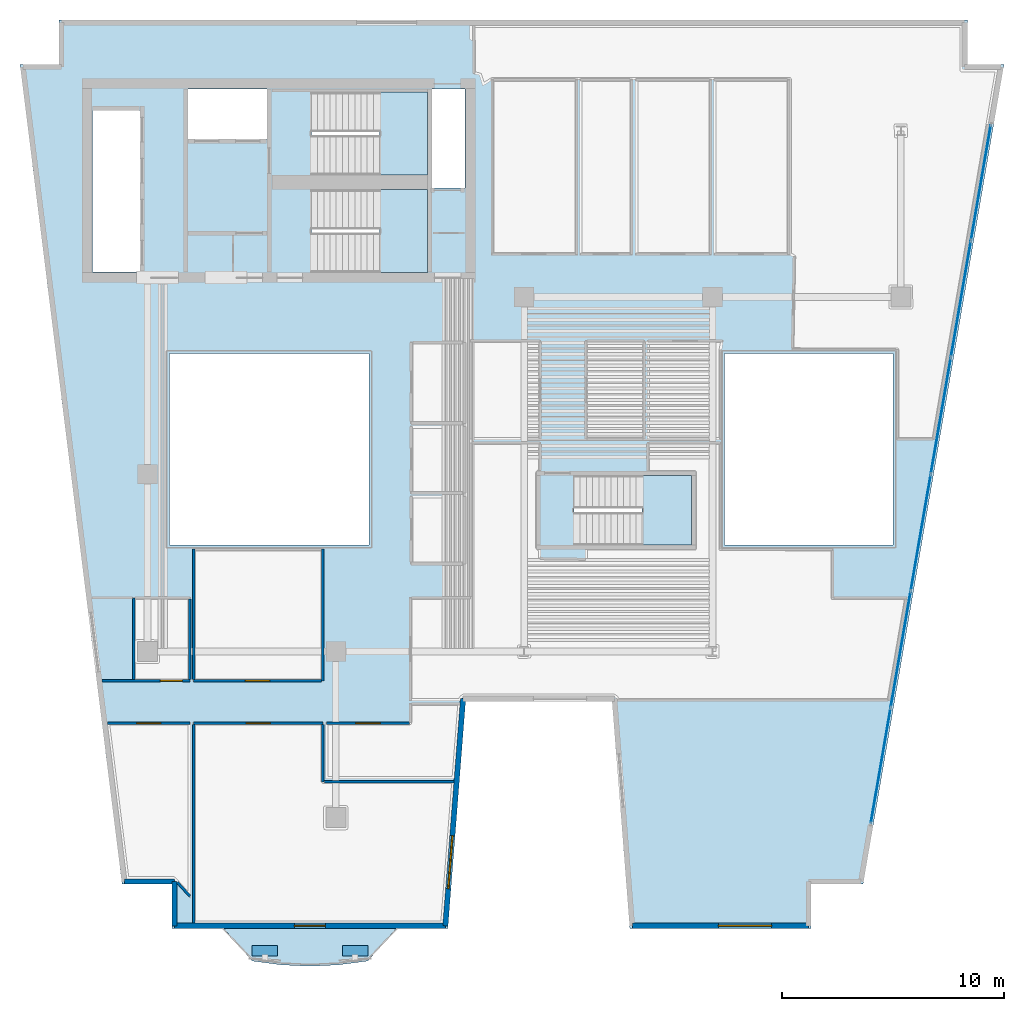
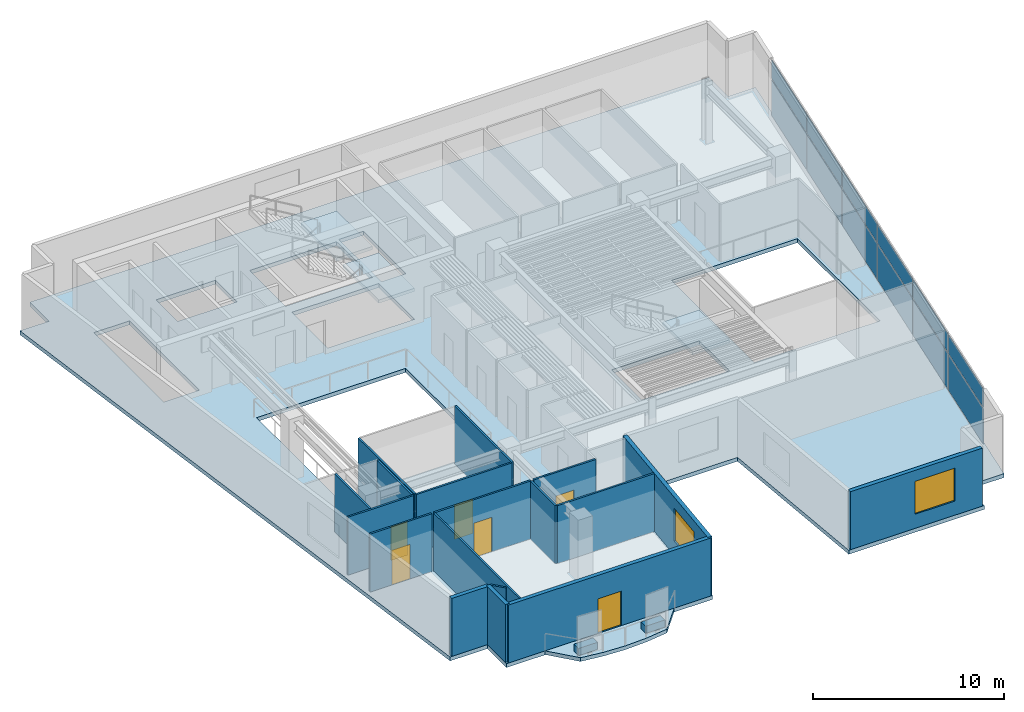
# One storey, part 3 of 10: 18 walls, 14 plates, 6 doors, 5 slabs, 2 windows, 8 openings, 4 elements without a shape of their own.
"""IFC4 building model written with IfcOpenShell, lengths in metres."""

from ifc_helpers import new_model, si_unit, direction, frame, frame_2d, origin, origin_2d, place, context, subcontext, project, spatial, polyline, rectangle, outline, extrude, material, layer, layer_set, type_object, element, fill, aggregate, save


model = new_model("IFC4")

# Units and contexts
model_context = context("Model", 3, precision=1e-05, world=origin(), true_north=direction((0.0, 1.0)))
body_context = subcontext(model_context, "Body", "Model", "MODEL_VIEW")
ifc_project = project(units=[si_unit("LENGTHUNIT", "METRE"), si_unit("AREAUNIT", "SQUARE_METRE"), si_unit("VOLUMEUNIT", "CUBIC_METRE"), si_unit("PLANEANGLEUNIT", "RADIAN"), si_unit("MASSUNIT", "GRAM", prefix="KILO")], contexts=[model_context])

# Site, building, storey
site_placement = place(None, origin())
site = spatial("IfcSite", under=ifc_project, at=site_placement, CompositionType="ELEMENT")
building_placement = place(site_placement, origin())
building = spatial("IfcBuilding", under=site, at=building_placement, Name="Caeloran Harvest Quay", CompositionType="ELEMENT")
storey_placement = place(building_placement, frame((0.0, 0.0, 219.300048828125)))
storey = spatial("IfcBuildingStorey", under=building, at=storey_placement, Name="L52", CompositionType="ELEMENT", Elevation=219.300048828125)

# Slab
ifc_material_1 = material(Name="Concrete C50/60", Category="concrete")
ifc_layer_1 = layer(ifc_material_1, 0.239990234375, Name="Concrete C50/60")
ifc_layer_set_1 = layer_set([ifc_layer_1], Name="Concrete C50/60")
slab_type_1 = type_object("IfcSlabType", Name="BALCONY-BL-240", PredefinedType="FLOOR", material=ifc_layer_set_1)
slab_1_placement = place(storey_placement, frame((0.0, 0.0, -0.239990234375)))
element("IfcSlab", 1, at=slab_1_placement, inside=storey, type_object=slab_type_1, Name="L52 Scalloped Cantilevered Planted Balcony Slab", PredefinedType="FLOOR", context=body_context, shape_type="SweptSolid", body=[
    extrude(outline(polyline([(18.442138671875, 1.033447265625), (17.13818359375, 0.860107421875), (15.83447265625, 0.796875), (14.53076171875, 0.860107421875), (13.226806640625, 1.033447265625), (11.9404296875, 2.5), (19.728515625, 2.5), (18.442138671875, 1.033447265625)])), origin(), (0.0, 0.0, 1.0), 0.239990234375),
])

# Curtain wall, plates
ifc_material_2 = material(Name="Aluminium 6063-T6 and Low-E Glazing", Category="aluminium")
ifc_layer_2 = layer(ifc_material_2, 0.2099609375, Name="Aluminium 6063-T6 and Low-E Glazing")
ifc_layer_set_2 = layer_set([ifc_layer_2], Name="Aluminium 6063-T6 and Low-E Glazing")
curtain_wall_type = type_object("IfcCurtainWallType", Name="CW-SYS-CW-4", PredefinedType="USERDEFINED", material=ifc_layer_set_2)
curtain_wall_placement = place(storey_placement, origin())
curtain_wall = element("IfcCurtainWall", 2, at=curtain_wall_placement, inside=storey, type_object=curtain_wall_type, Name="L52 Unitised Curtain Wall CW-4 Run 9", ObjectType="CURTAIN_WALL", PredefinedType="USERDEFINED")
ifc_material_3 = material(Name="Low-E Double Glazed Vision Glass Unit", Category="glass")
ifc_layer_3 = layer(ifc_material_3, 0.035888671875, Name="Low-E Double Glazed Vision Glass Unit")
ifc_layer_set_3 = layer_set([ifc_layer_3], Name="Low-E Double Glazed Vision Glass Unit")
plate_type_1 = type_object("IfcPlateType", Name="CW-VISION-PANEL", PredefinedType="CURTAIN_PANEL", material=ifc_layer_set_3)
plate_1_placement = place(storey_placement, frame((46.116943359375, 36.16162109375, 0.080078125), z_axis=(0.0, 0.0, 1.0), x_axis=(-0.169391215605, -0.985548890759, 0.0)))
plate_1 = element("IfcPlate", 3, at=plate_1_placement, type_object=plate_type_1, Name="CW-4 panel 1.1", PredefinedType="CURTAIN_PANEL", context=body_context, shape_type="SweptSolid", body=[
    extrude(rectangle(XDim=5.229736328125, YDim=0.035888671875, at=origin_2d()), origin(), (0.0, 0.0, 1.0), 2.280029296875),
])
plate_2_placement = place(storey_placement, frame((46.116943359375, 36.16162109375, 2.43994140625), z_axis=(0.0, 0.0, 1.0), x_axis=(-0.169391215605, -0.985548890759, 0.0)))
plate_2 = element("IfcPlate", 4, at=plate_2_placement, type_object=plate_type_1, Name="CW-4 panel 1.2", PredefinedType="CURTAIN_PANEL", context=body_context, shape_type="SweptSolid", body=[
    extrude(rectangle(XDim=5.229736328125, YDim=0.035888671875, at=origin_2d()), origin(), (0.0, 0.0, 1.0), 1.179931640625),
])
plate_3_placement = place(storey_placement, frame((45.214111328125, 30.90869140625, 0.080078125), z_axis=(0.0, 0.0, 1.0), x_axis=(-0.169391215605, -0.985548890759, 0.0)))
plate_3 = element("IfcPlate", 5, at=plate_3_placement, type_object=plate_type_1, Name="CW-4 panel 2.1", PredefinedType="CURTAIN_PANEL", context=body_context, shape_type="SweptSolid", body=[
    extrude(rectangle(XDim=5.269775390625, YDim=0.035888671875, at=origin_2d()), origin(), (0.0, 0.0, 1.0), 2.280029296875),
])
plate_4_placement = place(storey_placement, frame((45.214111328125, 30.90869140625, 2.43994140625), z_axis=(0.0, 0.0, 1.0), x_axis=(-0.169391215605, -0.985548890759, 0.0)))
plate_4 = element("IfcPlate", 6, at=plate_4_placement, type_object=plate_type_1, Name="CW-4 panel 2.2", PredefinedType="CURTAIN_PANEL", context=body_context, shape_type="SweptSolid", body=[
    extrude(rectangle(XDim=5.269775390625, YDim=0.035888671875, at=origin_2d()), origin(), (0.0, 0.0, 1.0), 1.179931640625),
])
plate_5_placement = place(storey_placement, frame((44.307861328125, 25.63623046875, 0.080078125), z_axis=(0.0, 0.0, 1.0), x_axis=(-0.169391215605, -0.985548890759, 0.0)))
plate_5 = element("IfcPlate", 7, at=plate_5_placement, type_object=plate_type_1, Name="CW-4 panel 3.1", PredefinedType="CURTAIN_PANEL", context=body_context, shape_type="SweptSolid", body=[
    extrude(rectangle(XDim=5.269775390625, YDim=0.035888671875, at=origin_2d()), origin(), (0.0, 0.0, 1.0), 2.280029296875),
])
plate_6_placement = place(storey_placement, frame((44.307861328125, 25.63623046875, 2.43994140625), z_axis=(0.0, 0.0, 1.0), x_axis=(-0.169391215605, -0.985548890759, 0.0)))
plate_6 = element("IfcPlate", 8, at=plate_6_placement, type_object=plate_type_1, Name="CW-4 panel 3.2", PredefinedType="CURTAIN_PANEL", context=body_context, shape_type="SweptSolid", body=[
    extrude(rectangle(XDim=5.269775390625, YDim=0.035888671875, at=origin_2d()), origin(), (0.0, 0.0, 1.0), 1.179931640625),
])
plate_7_placement = place(storey_placement, frame((43.401611328125, 20.36376953125, 0.080078125), z_axis=(0.0, 0.0, 1.0), x_axis=(-0.169391215605, -0.985548890759, 0.0)))
plate_7 = element("IfcPlate", 9, at=plate_7_placement, type_object=plate_type_1, Name="CW-4 panel 4.1", PredefinedType="CURTAIN_PANEL", context=body_context, shape_type="SweptSolid", body=[
    extrude(rectangle(XDim=5.269775390625, YDim=0.035888671875, at=origin_2d()), origin(), (0.0, 0.0, 1.0), 2.280029296875),
])
plate_8_placement = place(storey_placement, frame((43.401611328125, 20.36376953125, 2.43994140625), z_axis=(0.0, 0.0, 1.0), x_axis=(-0.169391215605, -0.985548890759, 0.0)))
plate_8 = element("IfcPlate", 10, at=plate_8_placement, type_object=plate_type_1, Name="CW-4 panel 4.2", PredefinedType="CURTAIN_PANEL", context=body_context, shape_type="SweptSolid", body=[
    extrude(rectangle(XDim=5.269775390625, YDim=0.035888671875, at=origin_2d()), origin(), (0.0, 0.0, 1.0), 1.179931640625),
])
plate_9_placement = place(storey_placement, frame((42.495361328125, 15.09130859375, 0.080078125), z_axis=(0.0, 0.0, 1.0), x_axis=(-0.169391215605, -0.985548890759, 0.0)))
plate_9 = element("IfcPlate", 11, at=plate_9_placement, type_object=plate_type_1, Name="CW-4 panel 5.1", PredefinedType="CURTAIN_PANEL", context=body_context, shape_type="SweptSolid", body=[
    extrude(rectangle(XDim=5.269775390625, YDim=0.035888671875, at=origin_2d()), origin(), (0.0, 0.0, 1.0), 2.280029296875),
])
plate_10_placement = place(storey_placement, frame((42.495361328125, 15.09130859375, 2.43994140625), z_axis=(0.0, 0.0, 1.0), x_axis=(-0.169391215605, -0.985548890759, 0.0)))
plate_10 = element("IfcPlate", 12, at=plate_10_placement, type_object=plate_type_1, Name="CW-4 panel 5.2", PredefinedType="CURTAIN_PANEL", context=body_context, shape_type="SweptSolid", body=[
    extrude(rectangle(XDim=5.269775390625, YDim=0.035888671875, at=origin_2d()), origin(), (0.0, 0.0, 1.0), 1.179931640625),
])
plate_11_placement = place(storey_placement, frame((41.592529296875, 9.83837890625, 0.080078125), z_axis=(0.0, 0.0, 1.0), x_axis=(-0.169391215605, -0.985548890759, 0.0)))
plate_11 = element("IfcPlate", 13, at=plate_11_placement, type_object=plate_type_1, Name="CW-4 panel 6.1", PredefinedType="CURTAIN_PANEL", context=body_context, shape_type="SweptSolid", body=[
    extrude(rectangle(XDim=5.229736328125, YDim=0.035888671875, at=origin_2d()), origin(), (0.0, 0.0, 1.0), 2.280029296875),
])
plate_12_placement = place(storey_placement, frame((41.592529296875, 9.83837890625, 2.43994140625), z_axis=(0.0, 0.0, 1.0), x_axis=(-0.169391215605, -0.985548890759, 0.0)))
plate_12 = element("IfcPlate", 14, at=plate_12_placement, type_object=plate_type_1, Name="CW-4 panel 6.2", PredefinedType="CURTAIN_PANEL", context=body_context, shape_type="SweptSolid", body=[
    extrude(rectangle(XDim=5.229736328125, YDim=0.035888671875, at=origin_2d()), origin(), (0.0, 0.0, 1.0), 1.179931640625),
])
aggregate(curtain_wall, [plate_1, plate_2, plate_3, plate_4, plate_5, plate_6, plate_7, plate_8, plate_9, plate_10, plate_11, plate_12])

# Plates
ifc_material_4 = material(Name="Precast concrete C50/60", Category="concrete")
ifc_layer_4 = layer(ifc_material_4, 0.449951171875, Name="Precast concrete C50/60")
ifc_layer_set_4 = layer_set([ifc_layer_4], Name="Precast concrete C50/60")
plate_type_2 = type_object("IfcPlateType", Name="PLANTER-TROUGH-450", PredefinedType="USERDEFINED", material=ifc_layer_set_4)
for number, where, z_axis, x_axis, name in (
    (15, (17.868408203125, 1.489501953125, 0.0), (0.0, 0.0, 1.0), (1.0, 0.0, 0.0), "L52 Balcony Vertical-Greenery Precast PLANTER Trough 1"),
    (16, (13.800537109375, 1.489501953125, 0.0), (0.0, 0.0, 1.0), (1.0, 0.0, 0.0), "L52 Balcony Vertical-Greenery Precast PLANTER Trough 2"),
):
    element("IfcPlate", number, at=place(storey_placement, frame(where, z_axis=z_axis, x_axis=x_axis)), inside=storey, type_object=plate_type_2, Name=name, ObjectType="PLANTER", PredefinedType="USERDEFINED", context=body_context, shape_type="SweptSolid", body=[
        extrude(rectangle(XDim=1.14990234375, YDim=0.47998046875, at=origin_2d()), origin(), (0.0, 0.0, 1.0), 0.449951171875),
    ])

# Slab
ifc_layer_5 = layer(ifc_material_1, 0.25, Name="Concrete C50/60")
ifc_layer_set_5 = layer_set([ifc_layer_5], Name="Concrete C50/60")
slab_type_2 = type_object("IfcSlabType", Name="SLAB-FS-250", PredefinedType="FLOOR", material=ifc_layer_set_5)
slab_2_placement = place(storey_placement, frame((0.0, 0.0, -0.25)))
element("IfcSlab", 17, at=slab_2_placement, inside=storey, type_object=slab_type_2, Name="L52 Structural Floor Slab", PredefinedType="FLOOR", context=body_context, shape_type="SweptSolid", body=[
    extrude(outline(polyline([(9.60302734375, 2.5), (22.056884765625, 2.5), (22.85693359375, 12.75), (29.469482421875, 12.75), (30.26953125, 2.5), (38.452880859375, 2.5), (38.452880859375, 4.5), (40.796875, 4.5), (47.15625, 41.5), (45.5, 41.5), (45.5, 43.5), (4.5, 43.5), (4.5, 41.5), (2.748779296875, 41.5), (7.35400390625, 4.5), (9.60302734375, 4.5), (9.60302734375, 2.5)]), holes=[polyline([(27.75, 19.800048828125), (27.75, 22.949951171875), (33.050048828125, 22.949951171875), (33.050048828125, 19.800048828125), (27.75, 19.800048828125)]), polyline([(18.5, 19.800048828125), (9.5, 19.800048828125), (9.5, 28.449951171875), (18.5, 28.449951171875), (18.5, 19.800048828125)]), polyline([(42.14990234375, 19.800048828125), (34.550048828125, 19.800048828125), (34.550048828125, 28.449951171875), (42.14990234375, 28.449951171875), (42.14990234375, 19.800048828125)]), polyline([(15.89990234375, 32.10009765625), (15.89990234375, 35.85009765625), (21.14990234375, 35.85009765625), (21.14990234375, 32.10009765625), (15.89990234375, 32.10009765625)]), polyline([(8.159912109375, 32.1201171875), (6.02001953125, 32.1201171875), (6.02001953125, 39.419921875), (8.159912109375, 39.419921875), (8.159912109375, 32.1201171875)]), polyline([(22.830078125, 35.919921875), (21.35009765625, 35.919921875), (21.35009765625, 40.3798828125), (22.830078125, 40.3798828125), (22.830078125, 35.919921875)]), polyline([(15.89990234375, 36.5), (15.89990234375, 40.25), (21.14990234375, 40.25), (21.14990234375, 36.5), (15.89990234375, 36.5)]), polyline([(13.89990234375, 38.1201171875), (10.320068359375, 38.1201171875), (10.320068359375, 40.3798828125), (13.89990234375, 40.3798828125), (13.89990234375, 38.1201171875)])]), origin(), (0.0, 0.0, 1.0), 0.25),
])

# Stair, slab
stair_type_1 = type_object("IfcStairType", Name="STAIR-STC-180", PredefinedType="HALF_TURN_STAIR", material=ifc_material_1)
stair_1_placement = place(storey_placement, origin())
stair_1 = element("IfcStair", 18, at=stair_1_placement, inside=storey, type_object=stair_type_1, Name="L52 Core Pressurized Exit Stair ST-C1", PredefinedType="HALF_TURN_STAIR")
ifc_layer_6 = layer(ifc_material_1, 0.219970703125, Name="Concrete C50/60")
ifc_layer_set_6 = layer_set([ifc_layer_6], Name="Concrete C50/60")
slab_type_3 = type_object("IfcSlabType", Name="STAIR-LANDING-220", PredefinedType="LANDING", material=ifc_layer_set_6)
slab_3_placement = place(storey_placement, frame((0.0, 0.0, 1.77490234375)))
slab_3 = element("IfcSlab", 19, at=slab_3_placement, type_object=slab_type_3, Name="ST-C1 landing 1", PredefinedType="LANDING", context=body_context, shape_type="SweptSolid", body=[
    extrude(outline(polyline([(18.97998046875, 36.5), (21.14990234375, 36.5), (21.14990234375, 40.25), (18.97998046875, 40.25), (18.97998046875, 36.5)])), origin(), (0.0, 0.0, 1.0), 0.199951171875),
])
aggregate(stair_1, [slab_3])

stair_2_placement = place(storey_placement, origin())
stair_2 = element("IfcStair", 20, at=stair_2_placement, inside=storey, type_object=stair_type_1, Name="L52 Core Pressurized Exit Stair ST-C2", PredefinedType="HALF_TURN_STAIR")
slab_4_placement = place(storey_placement, frame((0.0, 0.0, 1.77490234375)))
slab_4 = element("IfcSlab", 21, at=slab_4_placement, type_object=slab_type_3, Name="ST-C2 landing 1", PredefinedType="LANDING", context=body_context, shape_type="SweptSolid", body=[
    extrude(outline(polyline([(18.97998046875, 32.10009765625), (21.14990234375, 32.10009765625), (21.14990234375, 35.85009765625), (18.97998046875, 35.85009765625), (18.97998046875, 32.10009765625)])), origin(), (0.0, 0.0, 1.0), 0.199951171875),
])
aggregate(stair_2, [slab_4])

stair_type_2 = type_object("IfcStairType", Name="STAIR-STW-150", PredefinedType="HALF_TURN_STAIR", material=ifc_material_1)
stair_3_placement = place(storey_placement, origin())
stair_3 = element("IfcStair", 22, at=stair_3_placement, inside=storey, type_object=stair_type_2, Name="L52 East Wing Protected Exit Stair ST-W1", PredefinedType="HALF_TURN_STAIR")
slab_5_placement = place(storey_placement, frame((0.0, 0.0, 1.77490234375)))
slab_5 = element("IfcSlab", 23, at=slab_5_placement, type_object=slab_type_3, Name="ST-W1 landing 1", PredefinedType="LANDING", context=body_context, shape_type="SweptSolid", body=[
    extrude(outline(polyline([(30.830078125, 19.800048828125), (33.050048828125, 19.800048828125), (33.050048828125, 22.949951171875), (30.830078125, 22.949951171875), (30.830078125, 19.800048828125)])), origin(), (0.0, 0.0, 1.0), 0.199951171875),
])
aggregate(stair_3, [slab_5])

# Walls
ifc_layer_7 = layer(ifc_material_4, 0.239990234375, Name="Precast concrete C50/60")
ifc_layer_set_7 = layer_set([ifc_layer_7], Name="Precast concrete C50/60")
wall_type_1 = type_object("IfcWallType", Name="ENV-WALL-EW-240", PredefinedType="STANDARD", material=ifc_layer_set_7)
wall_1_placement = place(storey_placement, frame((9.722900390625, 2.6201171875, 0.0), z_axis=(0.0, 0.0, 1.0), x_axis=(0.0, 1.0, 0.0)))
element("IfcWall", 24, at=wall_1_placement, inside=storey, type_object=wall_type_1, Name="L52 Exterior Precast Concrete Facade Wall 1", PredefinedType="STANDARD", context=body_context, shape_type="SweptSolid", body=[
    extrude(rectangle(XDim=2.0, YDim=0.239990234375, at=frame_2d((1.0, 0.0))), origin(), (0.0, 0.0, 1.0), 3.699951171875),
])
wall_2_placement = place(storey_placement, frame((9.722900390625, 4.6201171875, 0.0), z_axis=(0.0, 0.0, 1.0), x_axis=(-1.0, 0.0, 0.0)))
element("IfcWall", 25, at=wall_2_placement, inside=storey, type_object=wall_type_1, Name="L52 Exterior Precast Concrete Facade Wall 2", PredefinedType="STANDARD", context=body_context, shape_type="SweptSolid", body=[
    extrude(rectangle(XDim=2.2626953125, YDim=0.239990234375, at=frame_2d((1.13134765625, 0.0))), origin(), (0.0, 0.0, 1.0), 3.699951171875),
])

# Wall, opening, window
wall_3_placement = place(storey_placement, frame((38.3330078125, 2.6201171875, 0.0), z_axis=(0.0, 0.0, 1.0), x_axis=(-1.0, 0.0, 0.0)))
wall_3 = element("IfcWall", 26, at=wall_3_placement, inside=storey, type_object=wall_type_1, Name="L52 Exterior Precast Concrete Facade Wall 12", PredefinedType="STANDARD", context=body_context, shape_type="SweptSolid", body=[
    extrude(rectangle(XDim=7.952392578125, YDim=0.239990234375, at=frame_2d((3.97607421875, 0.0))), origin(), (0.0, 0.0, 1.0), 3.699951171875),
])
opening_1_placement = place(wall_3_placement, frame((1.6630859375, 0.0, 0.89990234375)))
opening_1 = element("IfcOpeningElement", 27, at=opening_1_placement, cuts=wall_3, Name="Opening W-02", PredefinedType="OPENING", context=body_context, shape_type="SweptSolid", body=[
    extrude(rectangle(XDim=2.39990234375, YDim=2.10009765625, at=frame_2d((1.199951171875, 1.050048828125))), frame((0.0, 0.1298828125, 0.0), z_axis=(0.0, -1.0, 0.0), x_axis=(1.0, 0.0, 0.0)), (0.0, 0.0, 1.0), 0.260009765625),
])
ifc_material_5 = material(Name="Aluminium-Framed Low-E Laminated Glass", Category="aluminium")
window_type = type_object("IfcWindowType", Name="WIN-W-02", PartitioningType="DOUBLE_PANEL_VERTICAL", PredefinedType="WINDOW", material=ifc_material_5)
window_1_placement = place(opening_1_placement, origin())
window_1 = element("IfcWindow", 28, at=window_1_placement, inside=storey, type_object=window_type, Name="L52 Facade Punched Window W-02", OverallHeight=2.10009765625, OverallWidth=2.39990234375, PartitioningType="DOUBLE_PANEL_VERTICAL", PredefinedType="WINDOW", context=body_context, shape_type="SweptSolid", body=[
    extrude(rectangle(XDim=2.39990234375, YDim=2.10009765625, at=frame_2d((1.199951171875, 1.050048828125))), frame((0.0, 0.030029296875, 0.0), z_axis=(0.0, -1.0, 0.0), x_axis=(1.0, 0.0, 0.0)), (0.0, 0.0, 1.0), 0.06005859375),
])
fill(opening_1, window_1)

wall_4_placement = place(storey_placement, frame((22.74609375, 12.8701171875, 0.0), z_axis=(0.0, 0.0, 1.0), x_axis=(-0.077816860153, -0.996967670627, 0.0)))
wall_4 = element("IfcWall", 29, at=wall_4_placement, inside=storey, type_object=wall_type_1, Name="L52 Exterior Precast Concrete Facade Wall 15", PredefinedType="STANDARD", context=body_context, shape_type="SweptSolid", body=[
    extrude(rectangle(XDim=10.28125, YDim=0.239990234375, at=frame_2d((5.140625, 0.0))), origin(), (0.0, 0.0, 1.0), 3.699951171875),
])
opening_2_placement = place(wall_4_placement, frame((6.201904296875, 0.0, 0.89990234375)))
opening_2 = element("IfcOpeningElement", 30, at=opening_2_placement, cuts=wall_4, Name="Opening W-02", PredefinedType="OPENING", context=body_context, shape_type="SweptSolid", body=[
    extrude(rectangle(XDim=2.39990234375, YDim=2.10009765625, at=frame_2d((1.199951171875, 1.050048828125))), frame((0.0, 0.1298828125, 0.0), z_axis=(0.0, -1.0, 0.0), x_axis=(1.0, 0.0, 0.0)), (0.0, 0.0, 1.0), 0.260009765625),
])
window_2_placement = place(opening_2_placement, origin())
window_2 = element("IfcWindow", 31, at=window_2_placement, inside=storey, type_object=window_type, Name="L52 Facade Punched Window W-02", OverallHeight=2.10009765625, OverallWidth=2.39990234375, PartitioningType="DOUBLE_PANEL_VERTICAL", PredefinedType="WINDOW", context=body_context, shape_type="SweptSolid", body=[
    extrude(rectangle(XDim=2.39990234375, YDim=2.10009765625, at=frame_2d((1.199951171875, 1.050048828125))), frame((0.0, 0.030029296875, 0.0), z_axis=(0.0, -1.0, 0.0), x_axis=(1.0, 0.0, 0.0)), (0.0, 0.0, 1.0), 0.06005859375),
])
fill(opening_2, window_2)

# Wall, opening, door
wall_5_placement = place(storey_placement, frame((21.946044921875, 2.6201171875, 0.0), z_axis=(0.0, 0.0, 1.0), x_axis=(-1.0, 0.0, 0.0)))
wall_5 = element("IfcWall", 32, at=wall_5_placement, inside=storey, type_object=wall_type_1, Name="L52 Exterior Precast Concrete Facade Wall 16", PredefinedType="STANDARD", context=body_context, shape_type="SweptSolid", body=[
    extrude(rectangle(XDim=12.22314453125, YDim=0.239990234375, at=frame_2d((6.111572265625, 0.0))), origin(), (0.0, 0.0, 1.0), 3.699951171875),
])
opening_3_placement = place(wall_5_placement, frame((5.410888671875, 0.0, 0.0)))
opening_3 = element("IfcOpeningElement", 33, at=opening_3_placement, cuts=wall_5, Name="Opening BD-02", PredefinedType="OPENING", context=body_context, shape_type="SweptSolid", body=[
    extrude(rectangle(XDim=1.39990234375, YDim=2.199951171875, at=frame_2d((0.699951171875, 1.10009765625))), frame((0.0, 0.1298828125, 0.0), z_axis=(0.0, -1.0, 0.0), x_axis=(1.0, 0.0, 0.0)), (0.0, 0.0, 1.0), 0.260009765625),
])
ifc_material_6 = material(Name="Thermally Broken Powder-Coated Aluminium and Safety Glass", Category="aluminium")
door_type_1 = type_object("IfcDoorType", Name="EXTDOOR-BD-02", OperationType="NOTDEFINED", PredefinedType="DOOR", material=ifc_material_6)
door_1_placement = place(opening_3_placement, origin())
door_1 = element("IfcDoor", 34, at=door_1_placement, inside=storey, type_object=door_type_1, Name="L52 Planted Balcony Glazed Access Door", OperationType="SINGLE_SWING_LEFT", OverallHeight=2.199951171875, OverallWidth=1.39990234375, PredefinedType="DOOR", context=body_context, shape_type="SweptSolid", body=[
    extrude(rectangle(XDim=1.39990234375, YDim=2.199951171875, at=frame_2d((0.699951171875, 1.10009765625))), frame((0.0, 0.02490234375, 0.0), z_axis=(0.0, -1.0, 0.0), x_axis=(1.0, 0.0, 0.0)), (0.0, 0.0, 1.0), 0.050048828125),
])
fill(opening_3, door_1)

ifc_material_7 = material(Name="Single-Stud Acoustic Gypsum Office Partition", Category="gypsum")
ifc_layer_8 = layer(ifc_material_7, 0.112060546875, Name="Single-Stud Acoustic Gypsum Office Partition")
ifc_layer_set_8 = layer_set([ifc_layer_8], Name="Single-Stud Acoustic Gypsum Office Partition")
wall_type_2 = type_object("IfcWallType", Name="INT-WALL-PW-112", PredefinedType="PARTITIONING", material=ifc_layer_set_8)
wall_6_placement = place(storey_placement, frame((10.580078125, 11.77001953125, 0.0), z_axis=(0.0, 0.0, 1.0), x_axis=(1.0, 0.0, 0.0)))
wall_6 = element("IfcWall", 35, at=wall_6_placement, inside=storey, type_object=wall_type_2, Name="Clean-Tech Venture Studio Partition Wall", PredefinedType="PARTITIONING", context=body_context, shape_type="SweptSolid", body=[
    extrude(rectangle(XDim=5.83984375, YDim=0.112060546875, at=frame_2d((2.919921875, 0.0))), origin(), (0.0, 0.0, 1.0), 3.699951171875),
])
opening_4_placement = place(wall_6_placement, frame((2.3701171875, 0.0, 0.0)))
opening_4 = element("IfcOpeningElement", 36, at=opening_4_placement, cuts=wall_6, Name="Opening ID-04", PredefinedType="OPENING", context=body_context, shape_type="SweptSolid", body=[
    extrude(rectangle(XDim=1.10009765625, YDim=2.199951171875, at=frame_2d((0.550048828125, 1.10009765625))), frame((0.0, 0.06591796875, 0.0), z_axis=(0.0, -1.0, 0.0), x_axis=(1.0, 0.0, 0.0)), (0.0, 0.0, 1.0), 0.132080078125),
])
ifc_material_8 = material(Name="Acoustic Walnut Veneer Executive Door", Category="wood")
door_type_2 = type_object("IfcDoorType", Name="INTDOOR-ID-04", OperationType="NOTDEFINED", PredefinedType="DOOR", material=ifc_material_8)
door_2_placement = place(opening_4_placement, origin())
door_2 = element("IfcDoor", 37, at=door_2_placement, inside=storey, type_object=door_type_2, Name="Clean-Tech Venture Studio Access Door", OperationType="SINGLE_SWING_RIGHT", OverallHeight=2.199951171875, OverallWidth=1.10009765625, PredefinedType="DOOR", context=body_context, shape_type="SweptSolid", body=[
    extrude(rectangle(XDim=1.10009765625, YDim=2.199951171875, at=frame_2d((0.550048828125, 1.10009765625))), frame((0.0, 0.02490234375, 0.0), z_axis=(0.0, -1.0, 0.0), x_axis=(1.0, 0.0, 0.0)), (0.0, 0.0, 1.0), 0.050048828125),
])
fill(opening_4, door_2)

# Walls
wall_7_placement = place(storey_placement, frame((16.419921875, 11.708984375, 0.0), z_axis=(0.0, 0.0, 1.0), x_axis=(0.0, -1.0, 0.0)))
element("IfcWall", 38, at=wall_7_placement, inside=storey, type_object=wall_type_2, Name="Clean-Tech Venture Studio Partition Wall", PredefinedType="PARTITIONING", context=body_context, shape_type="SweptSolid", body=[
    extrude(rectangle(XDim=2.5888671875, YDim=0.112060546875, at=frame_2d((1.29443359375, 0.0))), origin(), (0.0, 0.0, 1.0), 3.699951171875),
])
wall_8_placement = place(storey_placement, frame((16.48095703125, 9.1201171875, 0.0), z_axis=(0.0, 0.0, 1.0), x_axis=(1.0, 0.0, 0.0)))
element("IfcWall", 39, at=wall_8_placement, inside=storey, type_object=wall_type_2, Name="Clean-Tech Venture Studio Partition Wall", PredefinedType="PARTITIONING", context=body_context, shape_type="SweptSolid", body=[
    extrude(rectangle(XDim=5.846923828125, YDim=0.112060546875, at=frame_2d((2.92333984375, 0.0))), origin(), (0.0, 0.0, 1.0), 3.699951171875),
])
wall_9_placement = place(storey_placement, frame((10.580078125, 2.7451171875, 0.0), z_axis=(0.0, 0.0, 1.0), x_axis=(0.0, 1.0, 0.0)))
element("IfcWall", 40, at=wall_9_placement, inside=storey, type_object=wall_type_2, Name="Clean-Tech Venture Studio Partition Wall", PredefinedType="PARTITIONING", context=body_context, shape_type="SweptSolid", body=[
    extrude(rectangle(XDim=8.9638671875, YDim=0.112060546875, at=frame_2d((4.48193359375, 0.0))), origin(), (0.0, 0.0, 1.0), 3.699951171875),
])
wall_10_placement = place(storey_placement, frame((10.419921875, 3.955078125, 0.0), z_axis=(0.0, 0.0, 1.0), x_axis=(-0.671145806114, 0.741325371841, 0.0)))
element("IfcWall", 41, at=wall_10_placement, inside=storey, type_object=wall_type_2, Name="Portfolio Catering Kitchen Partition Wall", PredefinedType="PARTITIONING", context=body_context, shape_type="SweptSolid", body=[
    extrude(rectangle(XDim=0.852294921875, YDim=0.112060546875, at=frame_2d((0.42626953125, 0.0))), origin(), (0.0, 0.0, 1.0), 3.699951171875),
])

# Wall, opening, door
wall_11_placement = place(storey_placement, frame((6.696044921875, 11.77001953125, 0.0), z_axis=(0.0, 0.0, 1.0), x_axis=(1.0, 0.0, 0.0)))
wall_11 = element("IfcWall", 42, at=wall_11_placement, inside=storey, type_object=wall_type_2, Name="Portfolio Catering Kitchen Partition Wall", PredefinedType="PARTITIONING", context=body_context, shape_type="SweptSolid", body=[
    extrude(rectangle(XDim=3.723876953125, YDim=0.112060546875, at=frame_2d((1.86181640625, 0.0))), origin(), (0.0, 0.0, 1.0), 3.699951171875),
])
opening_5_placement = place(wall_11_placement, frame((1.31201171875, 0.0, 0.0)))
opening_5 = element("IfcOpeningElement", 43, at=opening_5_placement, cuts=wall_11, Name="Opening ID-04", PredefinedType="OPENING", context=body_context, shape_type="SweptSolid", body=[
    extrude(rectangle(XDim=1.10009765625, YDim=2.199951171875, at=frame_2d((0.550048828125, 1.10009765625))), frame((0.0, 0.06591796875, 0.0), z_axis=(0.0, -1.0, 0.0), x_axis=(1.0, 0.0, 0.0)), (0.0, 0.0, 1.0), 0.132080078125),
])
door_3_placement = place(opening_5_placement, origin())
door_3 = element("IfcDoor", 44, at=door_3_placement, inside=storey, type_object=door_type_2, Name="Portfolio Catering Kitchen Access Door", OperationType="SINGLE_SWING_LEFT", OverallHeight=2.199951171875, OverallWidth=1.10009765625, PredefinedType="DOOR", context=body_context, shape_type="SweptSolid", body=[
    extrude(rectangle(XDim=1.10009765625, YDim=2.199951171875, at=frame_2d((0.550048828125, 1.10009765625))), frame((0.0, 0.02490234375, 0.0), z_axis=(0.0, -1.0, 0.0), x_axis=(1.0, 0.0, 0.0)), (0.0, 0.0, 1.0), 0.050048828125),
])
fill(opening_5, door_3)

wall_12_placement = place(storey_placement, frame((16.580078125, 11.77001953125, 0.0), z_axis=(0.0, 0.0, 1.0), x_axis=(1.0, 0.0, 0.0)))
wall_12 = element("IfcWall", 45, at=wall_12_placement, inside=storey, type_object=wall_type_2, Name="Due-Diligence Meeting Hall Partition Wall", PredefinedType="PARTITIONING", context=body_context, shape_type="SweptSolid", body=[
    extrude(rectangle(XDim=3.739990234375, YDim=0.112060546875, at=frame_2d((1.8701171875, 0.0))), origin(), (0.0, 0.0, 1.0), 3.699951171875),
])
opening_6_placement = place(wall_12_placement, frame((1.320068359375, 0.0, 0.0)))
opening_6 = element("IfcOpeningElement", 46, at=opening_6_placement, cuts=wall_12, Name="Opening ID-04", PredefinedType="OPENING", context=body_context, shape_type="SweptSolid", body=[
    extrude(rectangle(XDim=1.10009765625, YDim=2.199951171875, at=frame_2d((0.550048828125, 1.10009765625))), frame((0.0, 0.06591796875, 0.0), z_axis=(0.0, -1.0, 0.0), x_axis=(1.0, 0.0, 0.0)), (0.0, 0.0, 1.0), 0.132080078125),
])
door_4_placement = place(opening_6_placement, origin())
door_4 = element("IfcDoor", 47, at=door_4_placement, inside=storey, type_object=door_type_2, Name="Due-Diligence Meeting Hall Access Door", OperationType="SINGLE_SWING_RIGHT", OverallHeight=2.199951171875, OverallWidth=1.10009765625, PredefinedType="DOOR", context=body_context, shape_type="SweptSolid", body=[
    extrude(rectangle(XDim=1.10009765625, YDim=2.199951171875, at=frame_2d((0.550048828125, 1.10009765625))), frame((0.0, 0.02490234375, 0.0), z_axis=(0.0, -1.0, 0.0), x_axis=(1.0, 0.0, 0.0)), (0.0, 0.0, 1.0), 0.050048828125),
])
fill(opening_6, door_4)

wall_13_placement = place(storey_placement, frame((10.419921875, 13.679931640625, 0.0), z_axis=(0.0, 0.0, 1.0), x_axis=(-1.0, 0.0, 0.0)))
wall_13 = element("IfcWall", 48, at=wall_13_placement, inside=storey, type_object=wall_type_2, Name="General Partner Corner Office Partition Wall", PredefinedType="PARTITIONING", context=body_context, shape_type="SweptSolid", body=[
    extrude(rectangle(XDim=3.96142578125, YDim=0.112060546875, at=frame_2d((1.980712890625, 0.0))), origin(), (0.0, 0.0, 1.0), 3.699951171875),
])
opening_7_placement = place(wall_13_placement, frame((0.337646484375, 0.0, 0.0)))
opening_7 = element("IfcOpeningElement", 49, at=opening_7_placement, cuts=wall_13, Name="Opening ID-01", PredefinedType="OPENING", context=body_context, shape_type="SweptSolid", body=[
    extrude(rectangle(XDim=1.0, YDim=2.14990234375, at=frame_2d((0.5, 1.074951171875))), frame((0.0, 0.06591796875, 0.0), z_axis=(0.0, -1.0, 0.0), x_axis=(1.0, 0.0, 0.0)), (0.0, 0.0, 1.0), 0.132080078125),
])
ifc_material_9 = material(Name="FSC Solid-Core Ash Timber and Acoustic Seal", Category="wood")
door_type_3 = type_object("IfcDoorType", Name="INTDOOR-ID-01", OperationType="NOTDEFINED", PredefinedType="DOOR", material=ifc_material_9)
door_5_placement = place(opening_7_placement, origin())
door_5 = element("IfcDoor", 50, at=door_5_placement, inside=storey, type_object=door_type_3, Name="General Partner Corner Office Access Door", OperationType="SINGLE_SWING_RIGHT", OverallHeight=2.14990234375, OverallWidth=1.0, PredefinedType="DOOR", context=body_context, shape_type="SweptSolid", body=[
    extrude(rectangle(XDim=1.0, YDim=2.14990234375, at=frame_2d((0.5, 1.074951171875))), frame((0.0, 0.02490234375, 0.0), z_axis=(0.0, -1.0, 0.0), x_axis=(1.0, 0.0, 0.0)), (0.0, 0.0, 1.0), 0.050048828125),
])
fill(opening_7, door_5)

# Walls
wall_14_placement = place(storey_placement, frame((7.8798828125, 13.740966796875, 0.0), z_axis=(0.0, 0.0, 1.0), x_axis=(0.0, 1.0, 0.0)))
element("IfcWall", 51, at=wall_14_placement, inside=storey, type_object=wall_type_2, Name="General Partner Corner Office Partition Wall", PredefinedType="PARTITIONING", context=body_context, shape_type="SweptSolid", body=[
    extrude(rectangle(XDim=3.678955078125, YDim=0.112060546875, at=frame_2d((1.83935546875, 0.0))), origin(), (0.0, 0.0, 1.0), 3.699951171875),
])
wall_15_placement = place(storey_placement, frame((10.419921875, 17.35888671875, 0.0), z_axis=(0.0, 0.0, 1.0), x_axis=(0.0, -1.0, 0.0)))
element("IfcWall", 52, at=wall_15_placement, inside=storey, type_object=wall_type_2, Name="General Partner Corner Office Partition Wall", PredefinedType="PARTITIONING", context=body_context, shape_type="SweptSolid", body=[
    extrude(rectangle(XDim=3.617919921875, YDim=0.112060546875, at=frame_2d((1.80908203125, 0.0))), origin(), (0.0, 0.0, 1.0), 3.699951171875),
])
wall_16_placement = place(storey_placement, frame((16.419921875, 19.6201171875, 0.0), z_axis=(0.0, 0.0, 1.0), x_axis=(0.0, -1.0, 0.0)))
element("IfcWall", 53, at=wall_16_placement, inside=storey, type_object=wall_type_2, Name="Board Conference Room Partition Wall", PredefinedType="PARTITIONING", context=body_context, shape_type="SweptSolid", body=[
    extrude(rectangle(XDim=5.940185546875, YDim=0.112060546875, at=frame_2d((2.97021484375, 0.0))), origin(), (0.0, 0.0, 1.0), 3.699951171875),
])

# Wall, opening, door
wall_17_placement = place(storey_placement, frame((16.35888671875, 13.679931640625, 0.0), z_axis=(0.0, 0.0, 1.0), x_axis=(-1.0, 0.0, 0.0)))
wall_17 = element("IfcWall", 54, at=wall_17_placement, inside=storey, type_object=wall_type_2, Name="Board Conference Room Partition Wall", PredefinedType="PARTITIONING", context=body_context, shape_type="SweptSolid", body=[
    extrude(rectangle(XDim=5.77880859375, YDim=0.112060546875, at=frame_2d((2.889404296875, 0.0))), origin(), (0.0, 0.0, 1.0), 3.699951171875),
])
opening_8_placement = place(wall_17_placement, frame((2.339599609375, 0.0, 0.0)))
opening_8 = element("IfcOpeningElement", 55, at=opening_8_placement, cuts=wall_17, Name="Opening ID-04", PredefinedType="OPENING", context=body_context, shape_type="SweptSolid", body=[
    extrude(rectangle(XDim=1.10009765625, YDim=2.199951171875, at=frame_2d((0.550048828125, 1.10009765625))), frame((0.0, 0.06591796875, 0.0), z_axis=(0.0, -1.0, 0.0), x_axis=(1.0, 0.0, 0.0)), (0.0, 0.0, 1.0), 0.132080078125),
])
door_6_placement = place(opening_8_placement, origin())
door_6 = element("IfcDoor", 56, at=door_6_placement, inside=storey, type_object=door_type_2, Name="Board Conference Room Access Door", OperationType="SINGLE_SWING_LEFT", OverallHeight=2.199951171875, OverallWidth=1.10009765625, PredefinedType="DOOR", context=body_context, shape_type="SweptSolid", body=[
    extrude(rectangle(XDim=1.10009765625, YDim=2.199951171875, at=frame_2d((0.550048828125, 1.10009765625))), frame((0.0, 0.02490234375, 0.0), z_axis=(0.0, -1.0, 0.0), x_axis=(1.0, 0.0, 0.0)), (0.0, 0.0, 1.0), 0.050048828125),
])
fill(opening_8, door_6)

# Wall
wall_18_placement = place(storey_placement, frame((10.580078125, 13.740966796875, 0.0), z_axis=(0.0, 0.0, 1.0), x_axis=(0.0, 1.0, 0.0)))
element("IfcWall", 57, at=wall_18_placement, inside=storey, type_object=wall_type_2, Name="Board Conference Room Partition Wall", PredefinedType="PARTITIONING", context=body_context, shape_type="SweptSolid", body=[
    extrude(rectangle(XDim=5.879150390625, YDim=0.112060546875, at=frame_2d((2.939453125, 0.0))), origin(), (0.0, 0.0, 1.0), 3.699951171875),
])

save(model, "model.ifc")
